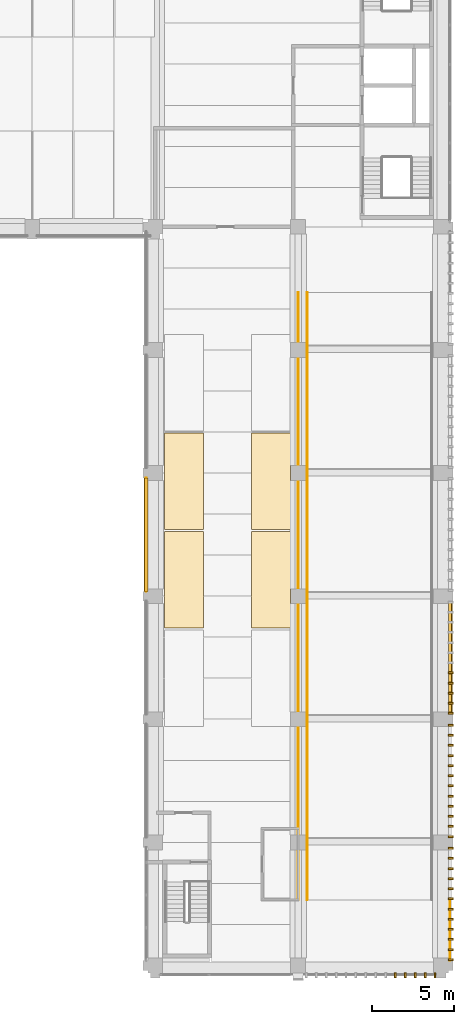
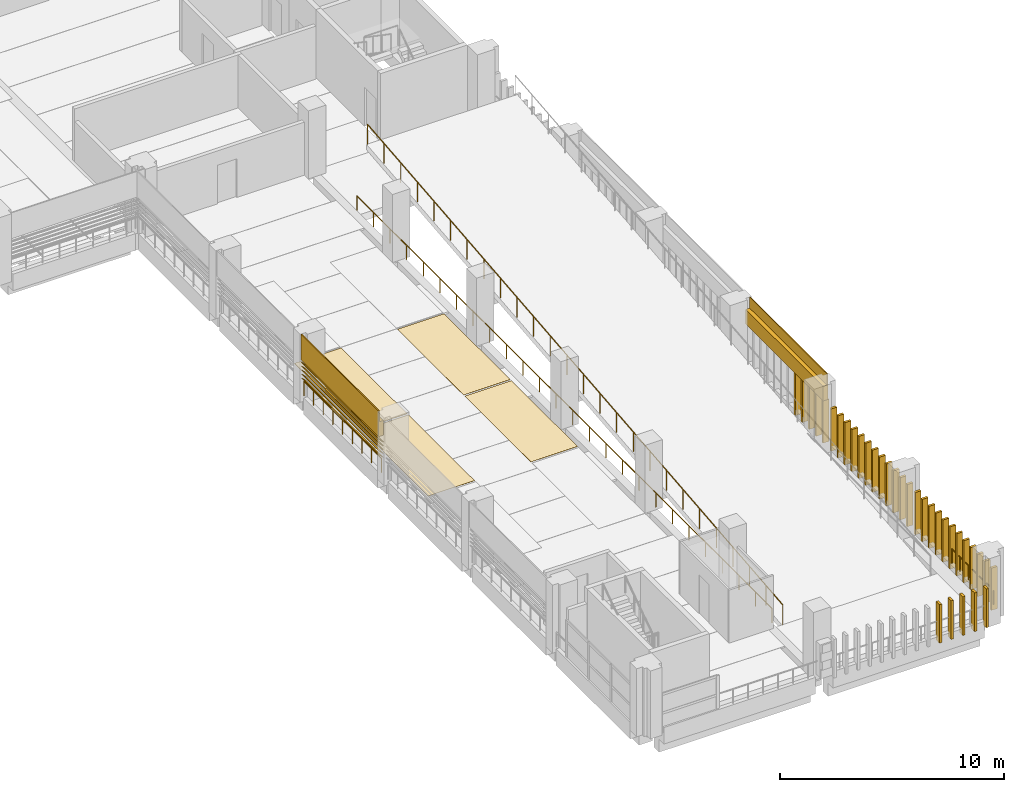
# One storey, part 48 of 57: 40 coverings, 5 shading devices, 4 railings.
"""IFC4 building model written with IfcOpenShell, lengths in metres."""

from ifc_helpers import new_model, si_unit, direction, frame, origin, origin_2d, place, context, subcontext, project, spatial, polyline, circle, outline, extrude, material, layer, layer_set, type_object, element, save


model = new_model("IFC4")

# Units and contexts
model_context = context("Model", 3, precision=1e-05, world=origin(), true_north=direction((0.0, 1.0)))
body_context = subcontext(model_context, "Body", "Model", "MODEL_VIEW")
ifc_project = project(units=[si_unit("LENGTHUNIT", "METRE"), si_unit("AREAUNIT", "SQUARE_METRE"), si_unit("VOLUMEUNIT", "CUBIC_METRE"), si_unit("PLANEANGLEUNIT", "RADIAN"), si_unit("MASSUNIT", "GRAM", prefix="KILO")], contexts=[model_context])

# Site, building, storey
site_placement = place(None, origin())
site = spatial("IfcSite", under=ifc_project, at=site_placement, CompositionType="ELEMENT")
building_placement = place(site_placement, origin())
building = spatial("IfcBuilding", under=site, at=building_placement, Name="Cour d'Honneur Mobility Palace", CompositionType="ELEMENT")
storey_placement = place(building_placement, frame((0.0, 0.0, 8.199951171875)))
storey = spatial("IfcBuildingStorey", under=building, at=storey_placement, Name="L02", CompositionType="ELEMENT", Elevation=8.199951171875)

# Railings
ifc_material_1 = material(Name="Painted steel", Category="steel")
railing_type_1 = type_object("IfcRailingType", Name="Balustrade", PredefinedType="BALUSTRADE", material=ifc_material_1)
railing_1_placement = place(storey_placement, frame((144.35009765625, 29.699951171875, 0.300048828125)))
element("IfcRailing", 1, at=railing_1_placement, inside=storey, type_object=railing_type_1, Name="Balustrade BAL-90", PredefinedType="BALUSTRADE", context=body_context, shape_type="SweptSolid", body=[
    extrude(circle(Radius=0.02392578125, at=origin_2d()), frame((0.0, 0.0, 0.77587890625), z_axis=(0.0, -1.0, 0.0), x_axis=(1.0, 0.0, 0.0)), (0.0, 0.0, 1.0), 6.89990234375),
    extrude(circle(Radius=0.02099609375, at=origin_2d()), origin(), (0.0, 0.0, 1.0), 0.751953125),
    extrude(circle(Radius=0.02099609375, at=origin_2d()), frame((0.0, -0.862548828125, 0.0)), (0.0, 0.0, 1.0), 0.751953125),
    extrude(circle(Radius=0.02099609375, at=origin_2d()), frame((0.0, -1.72509765625, 0.0)), (0.0, 0.0, 1.0), 0.751953125),
    extrude(circle(Radius=0.02099609375, at=origin_2d()), frame((0.0, -2.58740234375, 0.0)), (0.0, 0.0, 1.0), 0.751953125),
    extrude(circle(Radius=0.02099609375, at=origin_2d()), frame((0.0, -3.449951171875, 0.0)), (0.0, 0.0, 1.0), 0.751953125),
    extrude(circle(Radius=0.02099609375, at=origin_2d()), frame((0.0, -4.3125, 0.0)), (0.0, 0.0, 1.0), 0.751953125),
    extrude(circle(Radius=0.02099609375, at=origin_2d()), frame((0.0, -5.1748046875, 0.0)), (0.0, 0.0, 1.0), 0.751953125),
    extrude(circle(Radius=0.02099609375, at=origin_2d()), frame((0.0, -6.037353515625, 0.0)), (0.0, 0.0, 1.0), 0.751953125),
    extrude(circle(Radius=0.02099609375, at=origin_2d()), frame((0.0, -6.89990234375, 0.0)), (0.0, 0.0, 1.0), 0.751953125),
])
railing_2_placement = place(storey_placement, frame((162.85009765625, 0.300048828125, 0.300048828125)))
element("IfcRailing", 2, at=railing_2_placement, inside=storey, type_object=railing_type_1, Name="Balustrade BAL-96", PredefinedType="BALUSTRADE", context=body_context, shape_type="SweptSolid", body=[
    extrude(circle(Radius=0.02392578125, at=origin_2d()), frame((0.0, 0.0, 0.77587890625), z_axis=(0.0, 1.0, 0.0), x_axis=(-1.0, 0.0, 0.0)), (0.0, 0.0, 1.0), 3.699951171875),
    extrude(circle(Radius=0.02099609375, at=origin_2d()), origin(), (0.0, 0.0, 1.0), 0.751953125),
    extrude(circle(Radius=0.02099609375, at=origin_2d()), frame((0.0, 0.739990234375, 0.0)), (0.0, 0.0, 1.0), 0.751953125),
    extrude(circle(Radius=0.02099609375, at=origin_2d()), frame((0.0, 1.47998046875, 0.0)), (0.0, 0.0, 1.0), 0.751953125),
    extrude(circle(Radius=0.02099609375, at=origin_2d()), frame((0.0, 2.219970703125, 0.0)), (0.0, 0.0, 1.0), 0.751953125),
    extrude(circle(Radius=0.02099609375, at=origin_2d()), frame((0.0, 2.9599609375, 0.0)), (0.0, 0.0, 1.0), 0.751953125),
    extrude(circle(Radius=0.02099609375, at=origin_2d()), frame((0.0, 3.699951171875, 0.0)), (0.0, 0.0, 1.0), 0.751953125),
])

# Coverings
ifc_material_2 = material(Name="Parking marking paint")
ifc_layer_1 = layer(ifc_material_2, 0.0048828125)
ifc_layer_set_1 = layer_set([ifc_layer_1], Name="Parking marking paint")
covering_type_1 = type_object("IfcCoveringType", Name="Parking bay marking", PredefinedType="FLOORING", material=ifc_layer_set_1)
covering_1_placement = place(storey_placement, origin())
element("IfcCovering", 3, at=covering_1_placement, inside=storey, type_object=covering_type_1, Name="Parking bay marking L02 79", PredefinedType="FLOORING", context=body_context, shape_type="SweptSolid", body=[
    extrude(outline(polyline([(153.14990234375, 20.550048828125), (150.75, 20.550048828125), (150.75, 26.449951171875), (153.14990234375, 26.449951171875), (153.14990234375, 20.550048828125)])), origin(), (0.0, 0.0, 1.0), 0.005126953125),
])
covering_2_placement = place(storey_placement, origin())
element("IfcCovering", 4, at=covering_2_placement, inside=storey, type_object=covering_type_1, Name="Parking bay marking L02 80", PredefinedType="FLOORING", context=body_context, shape_type="SweptSolid", body=[
    extrude(outline(polyline([(153.14990234375, 26.550048828125), (150.75, 26.550048828125), (150.75, 32.449951171875), (153.14990234375, 32.449951171875), (153.14990234375, 26.550048828125)])), origin(), (0.0, 0.0, 1.0), 0.005126953125),
])
covering_3_placement = place(storey_placement, origin())
element("IfcCovering", 5, at=covering_3_placement, inside=storey, type_object=covering_type_1, Name="Parking bay marking L02 83", PredefinedType="FLOORING", context=body_context, shape_type="SweptSolid", body=[
    extrude(outline(polyline([(147.85009765625, 20.550048828125), (145.449951171875, 20.550048828125), (145.449951171875, 26.449951171875), (147.85009765625, 26.449951171875), (147.85009765625, 20.550048828125)])), origin(), (0.0, 0.0, 1.0), 0.005126953125),
])
covering_4_placement = place(storey_placement, origin())
element("IfcCovering", 6, at=covering_4_placement, inside=storey, type_object=covering_type_1, Name="Parking bay marking L02 84", PredefinedType="FLOORING", context=body_context, shape_type="SweptSolid", body=[
    extrude(outline(polyline([(147.85009765625, 26.550048828125), (145.449951171875, 26.550048828125), (145.449951171875, 32.449951171875), (147.85009765625, 32.449951171875), (147.85009765625, 26.550048828125)])), origin(), (0.0, 0.0, 1.0), 0.005126953125),
])

# Railing
ifc_material_3 = material(Name="Painted steel", Category="steel")
railing_type_2 = type_object("IfcRailingType", Name="Ramp guard 1100", PredefinedType="GUARDRAIL", material=ifc_material_3)
railing_3_placement = place(storey_placement, frame((154.14990234375, 4.0, 0.0)))
element("IfcRailing", 7, at=railing_3_placement, inside=storey, type_object=railing_type_2, Name="Ramp guard Ramp East 3", PredefinedType="GUARDRAIL", context=body_context, shape_type="SweptSolid", body=[
    extrude(circle(Radius=0.02490234375, at=origin_2d()), frame((0.0, 0.0, 1.0751953125), z_axis=(0.0, 0.995037320222, 0.099502418892), x_axis=(-1.0, 0.0, 0.0)), (0.0, 0.0, 1.0), 37.1845703125),
    extrude(circle(Radius=0.02099609375, at=origin_2d()), origin(), (0.0, 0.0, 1.0), 1.050048828125),
    extrude(circle(Radius=0.02099609375, at=origin_2d()), frame((0.0, 1.47998046875, 0.14794921875)), (0.0, 0.0, 1.0), 1.050048828125),
    extrude(circle(Radius=0.02099609375, at=origin_2d()), frame((0.0, 2.9599609375, 0.2958984375)), (0.0, 0.0, 1.0), 1.050048828125),
    extrude(circle(Radius=0.02099609375, at=origin_2d()), frame((0.0, 4.43994140625, 0.444091796875)), (0.0, 0.0, 1.0), 1.050048828125),
    extrude(circle(Radius=0.02099609375, at=origin_2d()), frame((0.0, 5.919921875, 0.592041015625)), (0.0, 0.0, 1.0), 1.050048828125),
    extrude(circle(Radius=0.02099609375, at=origin_2d()), frame((0.0, 7.39990234375, 0.739990234375)), (0.0, 0.0, 1.0), 1.050048828125),
    extrude(circle(Radius=0.02099609375, at=origin_2d()), frame((0.0, 8.8798828125, 0.887939453125)), (0.0, 0.0, 1.0), 1.050048828125),
    extrude(circle(Radius=0.02099609375, at=origin_2d()), frame((0.0, 10.360107421875, 1.035888671875)), (0.0, 0.0, 1.0), 1.050048828125),
    extrude(circle(Radius=0.02099609375, at=origin_2d()), frame((0.0, 11.840087890625, 1.18408203125)), (0.0, 0.0, 1.0), 1.050048828125),
    extrude(circle(Radius=0.02099609375, at=origin_2d()), frame((0.0, 13.320068359375, 1.33203125)), (0.0, 0.0, 1.0), 1.050048828125),
    extrude(circle(Radius=0.02099609375, at=origin_2d()), frame((0.0, 14.800048828125, 1.47998046875)), (0.0, 0.0, 1.0), 1.050048828125),
    extrude(circle(Radius=0.02099609375, at=origin_2d()), frame((0.0, 16.280029296875, 1.6279296875)), (0.0, 0.0, 1.0), 1.050048828125),
    extrude(circle(Radius=0.02099609375, at=origin_2d()), frame((0.0, 17.760009765625, 1.77587890625)), (0.0, 0.0, 1.0), 1.050048828125),
    extrude(circle(Radius=0.02099609375, at=origin_2d()), frame((0.0, 19.239990234375, 1.924072265625)), (0.0, 0.0, 1.0), 1.050048828125),
    extrude(circle(Radius=0.02099609375, at=origin_2d()), frame((0.0, 20.719970703125, 2.072021484375)), (0.0, 0.0, 1.0), 1.050048828125),
    extrude(circle(Radius=0.02099609375, at=origin_2d()), frame((0.0, 22.199951171875, 2.219970703125)), (0.0, 0.0, 1.0), 1.050048828125),
    extrude(circle(Radius=0.02099609375, at=origin_2d()), frame((0.0, 23.679931640625, 2.367919921875)), (0.0, 0.0, 1.0), 1.050048828125),
    extrude(circle(Radius=0.02099609375, at=origin_2d()), frame((0.0, 25.159912109375, 2.515869140625)), (0.0, 0.0, 1.0), 1.050048828125),
    extrude(circle(Radius=0.02099609375, at=origin_2d()), frame((0.0, 26.639892578125, 2.6640625)), (0.0, 0.0, 1.0), 1.050048828125),
    extrude(circle(Radius=0.02099609375, at=origin_2d()), frame((0.0, 28.1201171875, 2.81201171875)), (0.0, 0.0, 1.0), 1.050048828125),
    extrude(circle(Radius=0.02099609375, at=origin_2d()), frame((0.0, 29.60009765625, 2.9599609375)), (0.0, 0.0, 1.0), 1.050048828125),
    extrude(circle(Radius=0.02099609375, at=origin_2d()), frame((0.0, 31.080078125, 3.10791015625)), (0.0, 0.0, 1.0), 1.050048828125),
    extrude(circle(Radius=0.02099609375, at=origin_2d()), frame((0.0, 32.56005859375, 3.255859375)), (0.0, 0.0, 1.0), 1.050048828125),
    extrude(circle(Radius=0.02099609375, at=origin_2d()), frame((0.0, 34.0400390625, 3.404052734375)), (0.0, 0.0, 1.0), 1.050048828125),
    extrude(circle(Radius=0.02099609375, at=origin_2d()), frame((0.0, 35.52001953125, 3.552001953125)), (0.0, 0.0, 1.0), 1.050048828125),
    extrude(circle(Radius=0.02099609375, at=origin_2d()), frame((0.0, 37.0, 3.699951171875)), (0.0, 0.0, 1.0), 1.050048828125),
])

# Coverings
ifc_material_4 = material(Name="Cast limestone", Category="masonry")
ifc_layer_2 = layer(ifc_material_4, 0.1201171875)
ifc_layer_set_2 = layer_set([ifc_layer_2], Name="Cast limestone")
covering_type_2 = type_object("IfcCoveringType", Name="Ramp screen fin", PredefinedType="CLADDING", material=ifc_layer_set_2)
covering_5_placement = place(storey_placement, origin())
element("IfcCovering", 8, at=covering_5_placement, inside=storey, type_object=covering_type_2, Name="Ramp screen fin S4.1 L02 10", PredefinedType="CLADDING", context=body_context, shape_type="SweptSolid", body=[
    extrude(outline(polyline([(159.470703125, -0.449951171875), (159.5908203125, -0.449951171875), (159.5908203125, -0.75), (159.470703125, -0.75), (159.470703125, -0.449951171875)])), origin(), (0.0, 0.0, 1.0), 2.10009765625),
])
covering_6_placement = place(storey_placement, origin())
element("IfcCovering", 9, at=covering_6_placement, inside=storey, type_object=covering_type_2, Name="Ramp screen fin S4.1 L02 11", PredefinedType="CLADDING", context=body_context, shape_type="SweptSolid", body=[
    extrude(outline(polyline([(160.072998046875, -0.449951171875), (160.193115234375, -0.449951171875), (160.193115234375, -0.75), (160.072998046875, -0.75), (160.072998046875, -0.449951171875)])), origin(), (0.0, 0.0, 1.0), 2.10009765625),
])
covering_7_placement = place(storey_placement, origin())
element("IfcCovering", 10, at=covering_7_placement, inside=storey, type_object=covering_type_2, Name="Ramp screen fin S4.1 L02 12", PredefinedType="CLADDING", context=body_context, shape_type="SweptSolid", body=[
    extrude(outline(polyline([(160.67529296875, -0.449951171875), (160.79541015625, -0.449951171875), (160.79541015625, -0.75), (160.67529296875, -0.75), (160.67529296875, -0.449951171875)])), origin(), (0.0, 0.0, 1.0), 2.10009765625),
])
covering_8_placement = place(storey_placement, origin())
element("IfcCovering", 11, at=covering_8_placement, inside=storey, type_object=covering_type_2, Name="Ramp screen fin S4.1 L02 13", PredefinedType="CLADDING", context=body_context, shape_type="SweptSolid", body=[
    extrude(outline(polyline([(161.277587890625, -0.449951171875), (161.397705078125, -0.449951171875), (161.397705078125, -0.75), (161.277587890625, -0.75), (161.277587890625, -0.449951171875)])), origin(), (0.0, 0.0, 1.0), 2.10009765625),
])
covering_9_placement = place(storey_placement, origin())
element("IfcCovering", 12, at=covering_9_placement, inside=storey, type_object=covering_type_2, Name="Ramp screen fin S4.1 L02 14", PredefinedType="CLADDING", context=body_context, shape_type="SweptSolid", body=[
    extrude(outline(polyline([(161.8798828125, -0.449951171875), (162.0, -0.449951171875), (162.0, -0.75), (161.8798828125, -0.75), (161.8798828125, -0.449951171875)])), origin(), (0.0, 0.0, 1.0), 2.10009765625),
])
covering_10_placement = place(storey_placement, origin())
element("IfcCovering", 13, at=covering_10_placement, inside=storey, type_object=covering_type_2, Name="Ramp screen fin E5.0 L02 1", PredefinedType="CLADDING", context=body_context, shape_type="SweptSolid", body=[
    extrude(outline(polyline([(162.75, 0.300048828125), (162.75, 0.419921875), (163.050048828125, 0.419921875), (163.050048828125, 0.300048828125), (162.75, 0.300048828125)])), origin(), (0.0, 0.0, 1.0), 2.300048828125),
])
covering_11_placement = place(storey_placement, origin())
element("IfcCovering", 14, at=covering_11_placement, inside=storey, type_object=covering_type_2, Name="Ramp screen fin E5.0 L02 2", PredefinedType="CLADDING", context=body_context, shape_type="SweptSolid", body=[
    extrude(outline(polyline([(162.75, 0.916259765625), (162.75, 1.036376953125), (163.050048828125, 1.036376953125), (163.050048828125, 0.916259765625), (162.75, 0.916259765625)])), origin(), (0.0, 0.0, 1.0), 2.300048828125),
])
covering_12_placement = place(storey_placement, origin())
element("IfcCovering", 15, at=covering_12_placement, inside=storey, type_object=covering_type_2, Name="Ramp screen fin E5.0 L02 3", PredefinedType="CLADDING", context=body_context, shape_type="SweptSolid", body=[
    extrude(outline(polyline([(162.75, 1.53271484375), (162.75, 1.65283203125), (163.050048828125, 1.65283203125), (163.050048828125, 1.53271484375), (162.75, 1.53271484375)])), origin(), (0.0, 0.0, 1.0), 2.300048828125),
])
covering_13_placement = place(storey_placement, origin())
element("IfcCovering", 16, at=covering_13_placement, inside=storey, type_object=covering_type_2, Name="Ramp screen fin E5.0 L02 4", PredefinedType="CLADDING", context=body_context, shape_type="SweptSolid", body=[
    extrude(outline(polyline([(162.75, 2.149169921875), (162.75, 2.26904296875), (163.050048828125, 2.26904296875), (163.050048828125, 2.149169921875), (162.75, 2.149169921875)])), origin(), (0.0, 0.0, 1.0), 2.300048828125),
])
covering_14_placement = place(storey_placement, origin())
element("IfcCovering", 17, at=covering_14_placement, inside=storey, type_object=covering_type_2, Name="Ramp screen fin E5.0 L02 5", PredefinedType="CLADDING", context=body_context, shape_type="SweptSolid", body=[
    extrude(outline(polyline([(162.75, 2.765380859375), (162.75, 2.885498046875), (163.050048828125, 2.885498046875), (163.050048828125, 2.765380859375), (162.75, 2.765380859375)])), origin(), (0.0, 0.0, 1.0), 2.300048828125),
])
covering_15_placement = place(storey_placement, origin())
element("IfcCovering", 18, at=covering_15_placement, inside=storey, type_object=covering_type_2, Name="Ramp screen fin E5.0 L02 6", PredefinedType="CLADDING", context=body_context, shape_type="SweptSolid", body=[
    extrude(outline(polyline([(162.75, 3.3818359375), (162.75, 3.501708984375), (163.050048828125, 3.501708984375), (163.050048828125, 3.3818359375), (162.75, 3.3818359375)])), origin(), (0.0, 0.0, 1.0), 2.300048828125),
])
covering_16_placement = place(storey_placement, origin())
element("IfcCovering", 19, at=covering_16_placement, inside=storey, type_object=covering_type_2, Name="Ramp screen fin E5.0 L02 7", PredefinedType="CLADDING", context=body_context, shape_type="SweptSolid", body=[
    extrude(outline(polyline([(162.75, 3.998291015625), (162.75, 4.1181640625), (163.050048828125, 4.1181640625), (163.050048828125, 3.998291015625), (162.75, 3.998291015625)])), origin(), (0.0, 0.0, 1.0), 2.300048828125),
])
covering_17_placement = place(storey_placement, origin())
element("IfcCovering", 20, at=covering_17_placement, inside=storey, type_object=covering_type_2, Name="Ramp screen fin E5.0 L02 8", PredefinedType="CLADDING", context=body_context, shape_type="SweptSolid", body=[
    extrude(outline(polyline([(162.75, 4.614501953125), (162.75, 4.734619140625), (163.050048828125, 4.734619140625), (163.050048828125, 4.614501953125), (162.75, 4.614501953125)])), origin(), (0.0, 0.0, 1.0), 2.300048828125),
])
covering_18_placement = place(storey_placement, origin())
element("IfcCovering", 21, at=covering_18_placement, inside=storey, type_object=covering_type_2, Name="Ramp screen fin E5.0 L02 9", PredefinedType="CLADDING", context=body_context, shape_type="SweptSolid", body=[
    extrude(outline(polyline([(162.75, 5.23095703125), (162.75, 5.350830078125), (163.050048828125, 5.350830078125), (163.050048828125, 5.23095703125), (162.75, 5.23095703125)])), origin(), (0.0, 0.0, 1.0), 2.300048828125),
])
covering_19_placement = place(storey_placement, origin())
element("IfcCovering", 22, at=covering_19_placement, inside=storey, type_object=covering_type_2, Name="Ramp screen fin E5.0 L02 10", PredefinedType="CLADDING", context=body_context, shape_type="SweptSolid", body=[
    extrude(outline(polyline([(162.75, 5.84716796875), (162.75, 5.96728515625), (163.050048828125, 5.96728515625), (163.050048828125, 5.84716796875), (162.75, 5.84716796875)])), origin(), (0.0, 0.0, 1.0), 2.300048828125),
])
covering_20_placement = place(storey_placement, origin())
element("IfcCovering", 23, at=covering_20_placement, inside=storey, type_object=covering_type_2, Name="Ramp screen fin E5.0 L02 11", PredefinedType="CLADDING", context=body_context, shape_type="SweptSolid", body=[
    extrude(outline(polyline([(162.75, 6.463623046875), (162.75, 6.583740234375), (163.050048828125, 6.583740234375), (163.050048828125, 6.463623046875), (162.75, 6.463623046875)])), origin(), (0.0, 0.0, 1.0), 2.300048828125),
])
covering_21_placement = place(storey_placement, origin())
element("IfcCovering", 24, at=covering_21_placement, inside=storey, type_object=covering_type_2, Name="Ramp screen fin E5.0 L02 12", PredefinedType="CLADDING", context=body_context, shape_type="SweptSolid", body=[
    extrude(outline(polyline([(162.75, 7.080078125), (162.75, 7.199951171875), (163.050048828125, 7.199951171875), (163.050048828125, 7.080078125), (162.75, 7.080078125)])), origin(), (0.0, 0.0, 1.0), 2.300048828125),
])
covering_22_placement = place(storey_placement, origin())
element("IfcCovering", 25, at=covering_22_placement, inside=storey, type_object=covering_type_2, Name="Ramp screen fin E5.1 L02 1", PredefinedType="CLADDING", context=body_context, shape_type="SweptSolid", body=[
    extrude(outline(polyline([(162.75, 7.800048828125), (162.75, 7.919921875), (163.050048828125, 7.919921875), (163.050048828125, 7.800048828125), (162.75, 7.800048828125)])), origin(), (0.0, 0.0, 1.0), 2.300048828125),
])
covering_23_placement = place(storey_placement, origin())
element("IfcCovering", 26, at=covering_23_placement, inside=storey, type_object=covering_type_2, Name="Ramp screen fin E5.1 L02 2", PredefinedType="CLADDING", context=body_context, shape_type="SweptSolid", body=[
    extrude(outline(polyline([(162.75, 8.416259765625), (162.75, 8.536376953125), (163.050048828125, 8.536376953125), (163.050048828125, 8.416259765625), (162.75, 8.416259765625)])), origin(), (0.0, 0.0, 1.0), 2.300048828125),
])
covering_24_placement = place(storey_placement, origin())
element("IfcCovering", 27, at=covering_24_placement, inside=storey, type_object=covering_type_2, Name="Ramp screen fin E5.1 L02 3", PredefinedType="CLADDING", context=body_context, shape_type="SweptSolid", body=[
    extrude(outline(polyline([(162.75, 9.03271484375), (162.75, 9.15283203125), (163.050048828125, 9.15283203125), (163.050048828125, 9.03271484375), (162.75, 9.03271484375)])), origin(), (0.0, 0.0, 1.0), 2.300048828125),
])
covering_25_placement = place(storey_placement, origin())
element("IfcCovering", 28, at=covering_25_placement, inside=storey, type_object=covering_type_2, Name="Ramp screen fin E5.1 L02 4", PredefinedType="CLADDING", context=body_context, shape_type="SweptSolid", body=[
    extrude(outline(polyline([(162.75, 9.649169921875), (162.75, 9.76904296875), (163.050048828125, 9.76904296875), (163.050048828125, 9.649169921875), (162.75, 9.649169921875)])), origin(), (0.0, 0.0, 1.0), 2.300048828125),
])
covering_26_placement = place(storey_placement, origin())
element("IfcCovering", 29, at=covering_26_placement, inside=storey, type_object=covering_type_2, Name="Ramp screen fin E5.1 L02 5", PredefinedType="CLADDING", context=body_context, shape_type="SweptSolid", body=[
    extrude(outline(polyline([(162.75, 10.265380859375), (162.75, 10.385498046875), (163.050048828125, 10.385498046875), (163.050048828125, 10.265380859375), (162.75, 10.265380859375)])), origin(), (0.0, 0.0, 1.0), 2.300048828125),
])
covering_27_placement = place(storey_placement, origin())
element("IfcCovering", 30, at=covering_27_placement, inside=storey, type_object=covering_type_2, Name="Ramp screen fin E5.1 L02 6", PredefinedType="CLADDING", context=body_context, shape_type="SweptSolid", body=[
    extrude(outline(polyline([(162.75, 10.8818359375), (162.75, 11.001708984375), (163.050048828125, 11.001708984375), (163.050048828125, 10.8818359375), (162.75, 10.8818359375)])), origin(), (0.0, 0.0, 1.0), 2.300048828125),
])
covering_28_placement = place(storey_placement, origin())
element("IfcCovering", 31, at=covering_28_placement, inside=storey, type_object=covering_type_2, Name="Ramp screen fin E5.1 L02 7", PredefinedType="CLADDING", context=body_context, shape_type="SweptSolid", body=[
    extrude(outline(polyline([(162.75, 11.498291015625), (162.75, 11.6181640625), (163.050048828125, 11.6181640625), (163.050048828125, 11.498291015625), (162.75, 11.498291015625)])), origin(), (0.0, 0.0, 1.0), 2.300048828125),
])
covering_29_placement = place(storey_placement, origin())
element("IfcCovering", 32, at=covering_29_placement, inside=storey, type_object=covering_type_2, Name="Ramp screen fin E5.1 L02 8", PredefinedType="CLADDING", context=body_context, shape_type="SweptSolid", body=[
    extrude(outline(polyline([(162.75, 12.114501953125), (162.75, 12.234619140625), (163.050048828125, 12.234619140625), (163.050048828125, 12.114501953125), (162.75, 12.114501953125)])), origin(), (0.0, 0.0, 1.0), 2.300048828125),
])
covering_30_placement = place(storey_placement, origin())
element("IfcCovering", 33, at=covering_30_placement, inside=storey, type_object=covering_type_2, Name="Ramp screen fin E5.1 L02 9", PredefinedType="CLADDING", context=body_context, shape_type="SweptSolid", body=[
    extrude(outline(polyline([(162.75, 12.73095703125), (162.75, 12.850830078125), (163.050048828125, 12.850830078125), (163.050048828125, 12.73095703125), (162.75, 12.73095703125)])), origin(), (0.0, 0.0, 1.0), 2.300048828125),
])
covering_31_placement = place(storey_placement, origin())
element("IfcCovering", 34, at=covering_31_placement, inside=storey, type_object=covering_type_2, Name="Ramp screen fin E5.1 L02 10", PredefinedType="CLADDING", context=body_context, shape_type="SweptSolid", body=[
    extrude(outline(polyline([(162.75, 13.34716796875), (162.75, 13.46728515625), (163.050048828125, 13.46728515625), (163.050048828125, 13.34716796875), (162.75, 13.34716796875)])), origin(), (0.0, 0.0, 1.0), 2.300048828125),
])
covering_32_placement = place(storey_placement, origin())
element("IfcCovering", 35, at=covering_32_placement, inside=storey, type_object=covering_type_2, Name="Ramp screen fin E5.1 L02 11", PredefinedType="CLADDING", context=body_context, shape_type="SweptSolid", body=[
    extrude(outline(polyline([(162.75, 13.963623046875), (162.75, 14.083740234375), (163.050048828125, 14.083740234375), (163.050048828125, 13.963623046875), (162.75, 13.963623046875)])), origin(), (0.0, 0.0, 1.0), 2.300048828125),
])
covering_33_placement = place(storey_placement, origin())
element("IfcCovering", 36, at=covering_33_placement, inside=storey, type_object=covering_type_2, Name="Ramp screen fin E5.1 L02 12", PredefinedType="CLADDING", context=body_context, shape_type="SweptSolid", body=[
    extrude(outline(polyline([(162.75, 14.580078125), (162.75, 14.699951171875), (163.050048828125, 14.699951171875), (163.050048828125, 14.580078125), (162.75, 14.580078125)])), origin(), (0.0, 0.0, 1.0), 2.300048828125),
])
covering_34_placement = place(storey_placement, origin())
element("IfcCovering", 37, at=covering_34_placement, inside=storey, type_object=covering_type_2, Name="Ramp screen fin E5.2 L02 1", PredefinedType="CLADDING", context=body_context, shape_type="SweptSolid", body=[
    extrude(outline(polyline([(162.75, 15.300048828125), (162.75, 15.419921875), (163.050048828125, 15.419921875), (163.050048828125, 15.300048828125), (162.75, 15.300048828125)])), origin(), (0.0, 0.0, 1.0), 2.300048828125),
])
covering_35_placement = place(storey_placement, origin())
element("IfcCovering", 38, at=covering_35_placement, inside=storey, type_object=covering_type_2, Name="Ramp screen fin E5.2 L02 2", PredefinedType="CLADDING", context=body_context, shape_type="SweptSolid", body=[
    extrude(outline(polyline([(162.75, 15.916259765625), (162.75, 16.036376953125), (163.050048828125, 16.036376953125), (163.050048828125, 15.916259765625), (162.75, 15.916259765625)])), origin(), (0.0, 0.0, 1.0), 2.300048828125),
])
covering_36_placement = place(storey_placement, origin())
element("IfcCovering", 39, at=covering_36_placement, inside=storey, type_object=covering_type_2, Name="Ramp screen fin E5.2 L02 3", PredefinedType="CLADDING", context=body_context, shape_type="SweptSolid", body=[
    extrude(outline(polyline([(162.75, 16.53271484375), (162.75, 16.65283203125), (163.050048828125, 16.65283203125), (163.050048828125, 16.53271484375), (162.75, 16.53271484375)])), origin(), (0.0, 0.0, 1.0), 2.300048828125),
])
covering_37_placement = place(storey_placement, origin())
element("IfcCovering", 40, at=covering_37_placement, inside=storey, type_object=covering_type_2, Name="Ramp screen fin E5.2 L02 4", PredefinedType="CLADDING", context=body_context, shape_type="SweptSolid", body=[
    extrude(outline(polyline([(162.75, 17.149169921875), (162.75, 17.26904296875), (163.050048828125, 17.26904296875), (163.050048828125, 17.149169921875), (162.75, 17.149169921875)])), origin(), (0.0, 0.0, 1.0), 2.300048828125),
])
covering_38_placement = place(storey_placement, origin())
element("IfcCovering", 41, at=covering_38_placement, inside=storey, type_object=covering_type_2, Name="Ramp screen fin E5.2 L02 5", PredefinedType="CLADDING", context=body_context, shape_type="SweptSolid", body=[
    extrude(outline(polyline([(162.75, 17.765380859375), (162.75, 17.885498046875), (163.050048828125, 17.885498046875), (163.050048828125, 17.765380859375), (162.75, 17.765380859375)])), origin(), (0.0, 0.0, 1.0), 2.300048828125),
])
ifc_material_5 = material(Name="Cast limestone", Category="masonry")
ifc_layer_3 = layer(ifc_material_5, 0.25)
ifc_layer_set_3 = layer_set([ifc_layer_3], Name="Cast limestone")
covering_type_3 = type_object("IfcCoveringType", Name="Spandrel cladding", PredefinedType="CLADDING", material=ifc_layer_set_3)
for number, where, z_axis, x_axis, name in (
    (42, (144.449951171875, 29.699951171875, 2.300048828125), (0.0, 1.0, 0.0), (-1.0, 0.0, 0.0), "Spandrel cladding SK-158"),
    (43, (162.75, 15.300048828125, 2.300048828125), (0.0, -1.0, 0.0), (1.0, 0.0, 0.0), "Spandrel cladding SK-161"),
):
    element("IfcCovering", number, at=place(storey_placement, frame(where, z_axis=z_axis, x_axis=x_axis)), inside=storey, type_object=covering_type_3, Name=name, PredefinedType="CLADDING", context=body_context, shape_type="SweptSolid", body=[
        extrude(outline(polyline([(0.0, 0.0), (0.25, 0.0), (0.25, 1.39990234375), (0.199951171875, 1.39990234375), (0.199951171875, 0.800048828125), (0.0, 0.800048828125), (0.0, 0.0)])), origin(), (0.0, 0.0, -1.0), 6.89990234375),
    ])

# Shading devices
ifc_material_6 = material(Name="Terracotta", Category="masonry")
ifc_layer_4 = layer(ifc_material_6, 0.02490234375)
ifc_layer_set_4 = layer_set([ifc_layer_4], Name="Terracotta")
shading_device_type = type_object("IfcShadingDeviceType", Name="Terracotta louvre blade", PredefinedType="JALOUSIE", material=ifc_layer_set_4)
for number, where, z_axis, x_axis, name in (
    (44, (144.4560546875, 29.699951171875, 1.10009765625), (0.707106781187, 0.0, 0.707106781187), (0.0, -1.0, 0.0), "Louvre blade LV-1 W3.2 L02 1"),
    (45, (144.4560546875, 29.699951171875, 1.312255859375), (0.707106781187, 0.0, 0.707106781187), (0.0, -1.0, 0.0), "Louvre blade LV-1 W3.2 L02 2"),
):
    element("IfcShadingDevice", number, at=place(storey_placement, frame(where, z_axis=z_axis, x_axis=x_axis)), inside=storey, type_object=shading_device_type, Name=name, PredefinedType="JALOUSIE", context=body_context, shape_type="SweptSolid", body=[
        extrude(outline(polyline([(0.0, 0.0), (6.89990234375, 0.0), (6.89990234375, -0.300037008228081), (0.0, -0.300037008228081), (0.0, 0.0)])), origin(), (0.0, 0.0, -1.0), 0.02490234375),
    ])
shading_device_placement = place(storey_placement, frame((144.4560546875, 29.699951171875, 1.5244140625), z_axis=(0.706699578995, 0.0, 0.707513749017), x_axis=(0.0, -1.0, 0.0)))
element("IfcShadingDevice", 46, at=shading_device_placement, inside=storey, type_object=shading_device_type, Name="Louvre blade LV-1 W3.2 L02 3", PredefinedType="JALOUSIE", context=body_context, shape_type="SweptSolid", body=[
    extrude(outline(polyline([(0.0, 0.0), (6.89990234375, 0.0), (6.89990234375, -0.29986442442957895), (0.0, -0.29986442442957895), (0.0, 0.0)])), origin(), (0.0, 0.0, -1.0), 0.02490234375),
])
for number, where, z_axis, x_axis, name in (
    (47, (144.4560546875, 29.699951171875, 1.736328125), (0.707106781187, 0.0, 0.707106781187), (0.0, -1.0, 0.0), "Louvre blade LV-1 W3.2 L02 4"),
    (48, (144.4560546875, 29.699951171875, 1.948486328125), (0.707106781187, 0.0, 0.707106781187), (0.0, -1.0, 0.0), "Louvre blade LV-1 W3.2 L02 5"),
):
    element("IfcShadingDevice", number, at=place(storey_placement, frame(where, z_axis=z_axis, x_axis=x_axis)), inside=storey, type_object=shading_device_type, Name=name, PredefinedType="JALOUSIE", context=body_context, shape_type="SweptSolid", body=[
        extrude(outline(polyline([(0.0, 0.0), (6.89990234375, 0.0), (6.89990234375, -0.300037008228081), (0.0, -0.300037008228081), (0.0, 0.0)])), origin(), (0.0, 0.0, -1.0), 0.02490234375),
    ])

# Railing
ifc_material_7 = material(Name="Painted steel", Category="steel")
railing_type_3 = type_object("IfcRailingType", Name="Void edge guard 1100", PredefinedType="GUARDRAIL", material=ifc_material_7)
railing_4_placement = place(storey_placement, frame((153.60009765625, 4.0, 0.300048828125)))
element("IfcRailing", 49, at=railing_4_placement, inside=storey, type_object=railing_type_3, Name="Void edge guard SE L02", PredefinedType="GUARDRAIL", context=body_context, shape_type="SweptSolid", body=[
    extrude(circle(Radius=0.02490234375, at=origin_2d()), frame((0.0, 0.0, 0.77490234375), z_axis=(0.0, 1.0, 0.0), x_axis=(-1.0, 0.0, 0.0)), (0.0, 0.0, 1.0), 37.0),
    extrude(circle(Radius=0.02099609375, at=origin_2d()), origin(), (0.0, 0.0, 1.0), 0.75),
    extrude(circle(Radius=0.02099609375, at=origin_2d()), frame((0.0, 1.47998046875, 0.0)), (0.0, 0.0, 1.0), 0.75),
    extrude(circle(Radius=0.02099609375, at=origin_2d()), frame((0.0, 2.9599609375, 0.0)), (0.0, 0.0, 1.0), 0.75),
    extrude(circle(Radius=0.02099609375, at=origin_2d()), frame((0.0, 4.43994140625, 0.0)), (0.0, 0.0, 1.0), 0.75),
    extrude(circle(Radius=0.02099609375, at=origin_2d()), frame((0.0, 5.919921875, 0.0)), (0.0, 0.0, 1.0), 0.75),
    extrude(circle(Radius=0.02099609375, at=origin_2d()), frame((0.0, 7.39990234375, 0.0)), (0.0, 0.0, 1.0), 0.75),
    extrude(circle(Radius=0.02099609375, at=origin_2d()), frame((0.0, 8.8798828125, 0.0)), (0.0, 0.0, 1.0), 0.75),
    extrude(circle(Radius=0.02099609375, at=origin_2d()), frame((0.0, 10.360107421875, 0.0)), (0.0, 0.0, 1.0), 0.75),
    extrude(circle(Radius=0.02099609375, at=origin_2d()), frame((0.0, 11.840087890625, 0.0)), (0.0, 0.0, 1.0), 0.75),
    extrude(circle(Radius=0.02099609375, at=origin_2d()), frame((0.0, 13.320068359375, 0.0)), (0.0, 0.0, 1.0), 0.75),
    extrude(circle(Radius=0.02099609375, at=origin_2d()), frame((0.0, 14.800048828125, 0.0)), (0.0, 0.0, 1.0), 0.75),
    extrude(circle(Radius=0.02099609375, at=origin_2d()), frame((0.0, 16.280029296875, 0.0)), (0.0, 0.0, 1.0), 0.75),
    extrude(circle(Radius=0.02099609375, at=origin_2d()), frame((0.0, 17.760009765625, 0.0)), (0.0, 0.0, 1.0), 0.75),
    extrude(circle(Radius=0.02099609375, at=origin_2d()), frame((0.0, 19.239990234375, 0.0)), (0.0, 0.0, 1.0), 0.75),
    extrude(circle(Radius=0.02099609375, at=origin_2d()), frame((0.0, 20.719970703125, 0.0)), (0.0, 0.0, 1.0), 0.75),
    extrude(circle(Radius=0.02099609375, at=origin_2d()), frame((0.0, 22.199951171875, 0.0)), (0.0, 0.0, 1.0), 0.75),
    extrude(circle(Radius=0.02099609375, at=origin_2d()), frame((0.0, 23.679931640625, 0.0)), (0.0, 0.0, 1.0), 0.75),
    extrude(circle(Radius=0.02099609375, at=origin_2d()), frame((0.0, 25.159912109375, 0.0)), (0.0, 0.0, 1.0), 0.75),
    extrude(circle(Radius=0.02099609375, at=origin_2d()), frame((0.0, 26.639892578125, 0.0)), (0.0, 0.0, 1.0), 0.75),
    extrude(circle(Radius=0.02099609375, at=origin_2d()), frame((0.0, 28.1201171875, 0.0)), (0.0, 0.0, 1.0), 0.75),
    extrude(circle(Radius=0.02099609375, at=origin_2d()), frame((0.0, 29.60009765625, 0.0)), (0.0, 0.0, 1.0), 0.75),
    extrude(circle(Radius=0.02099609375, at=origin_2d()), frame((0.0, 31.080078125, 0.0)), (0.0, 0.0, 1.0), 0.75),
    extrude(circle(Radius=0.02099609375, at=origin_2d()), frame((0.0, 32.56005859375, 0.0)), (0.0, 0.0, 1.0), 0.75),
    extrude(circle(Radius=0.02099609375, at=origin_2d()), frame((0.0, 34.0400390625, 0.0)), (0.0, 0.0, 1.0), 0.75),
    extrude(circle(Radius=0.02099609375, at=origin_2d()), frame((0.0, 35.52001953125, 0.0)), (0.0, 0.0, 1.0), 0.75),
    extrude(circle(Radius=0.02099609375, at=origin_2d()), frame((0.0, 37.0, 0.0)), (0.0, 0.0, 1.0), 0.75),
])

save(model, "model.ifc")
